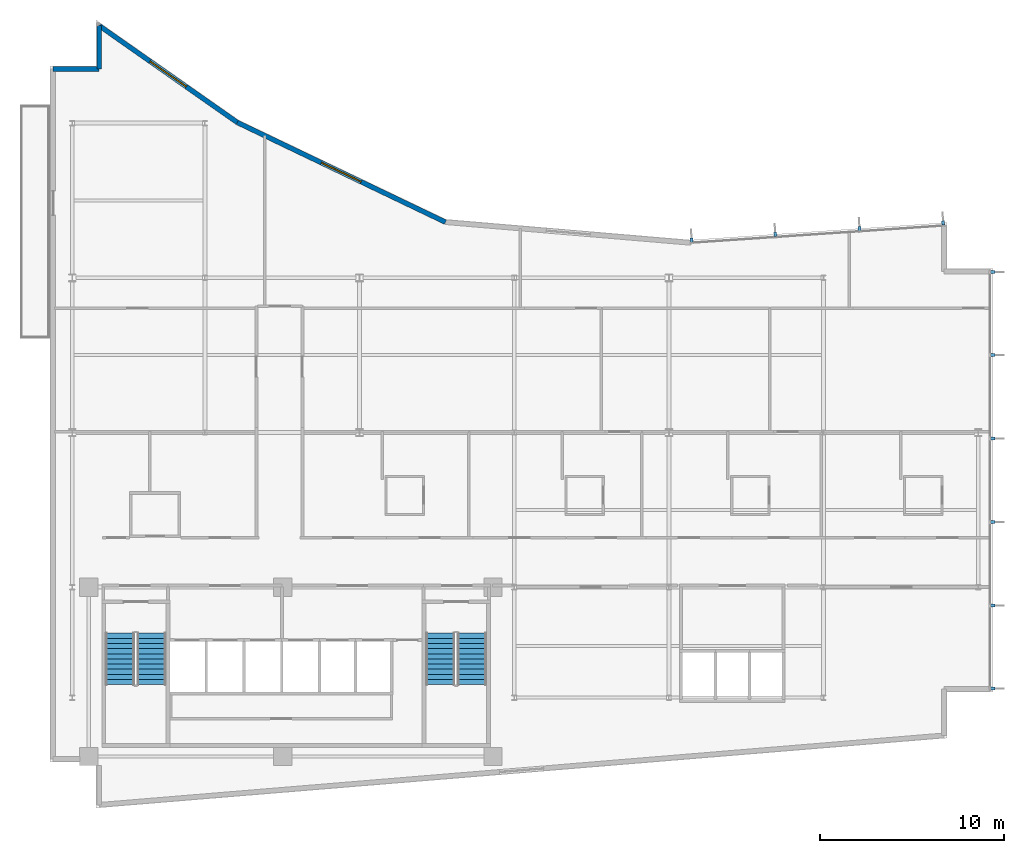
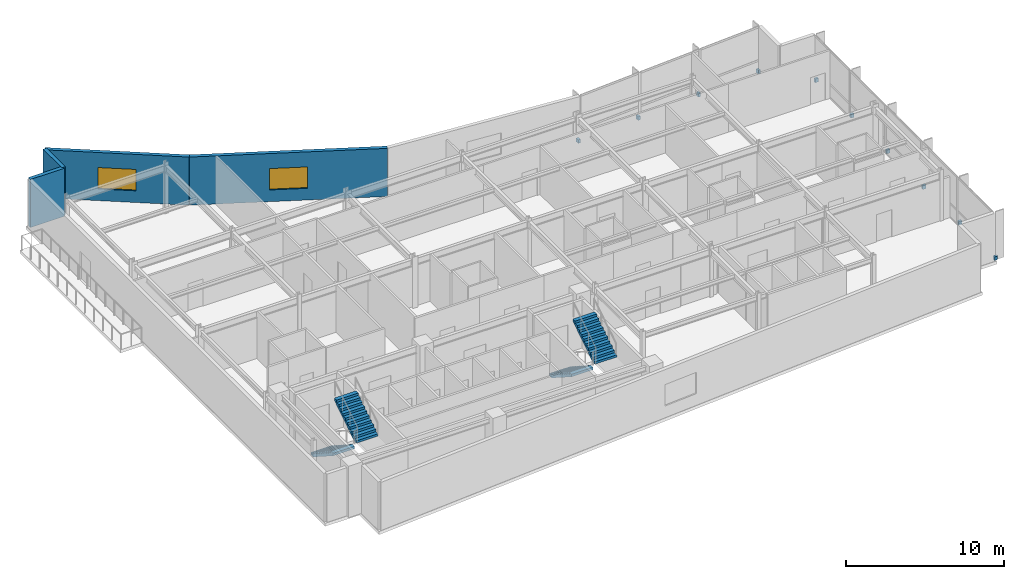
# One storey, part 14 of 17: 10 discrete accessories, 4 stair flights, 4 walls, 2 windows, 2 openings, 2 elements without a shape of their own.
"""IFC4 building model written with IfcOpenShell, lengths in metres."""

from ifc_helpers import new_model, si_unit, direction, frame, frame_2d, origin, origin_2d, place, context, subcontext, project, spatial, polyline, rectangle, outline, extrude, material, layer, layer_set, type_object, element, fill, aggregate, save


model = new_model("IFC4")

# Units and contexts
model_context = context("Model", 3, precision=1e-05, world=origin(), true_north=direction((0.0, 1.0)))
body_context = subcontext(model_context, "Body", "Model", "MODEL_VIEW")
ifc_project = project(units=[si_unit("LENGTHUNIT", "METRE"), si_unit("AREAUNIT", "SQUARE_METRE"), si_unit("VOLUMEUNIT", "CUBIC_METRE"), si_unit("PLANEANGLEUNIT", "RADIAN"), si_unit("MASSUNIT", "GRAM", prefix="KILO")], contexts=[model_context])

# Site, building, storey
site_placement = place(None, origin())
site = spatial("IfcSite", under=ifc_project, at=site_placement, CompositionType="ELEMENT")
building_placement = place(site_placement, origin())
building = spatial("IfcBuilding", under=site, at=building_placement, Name="Varnakote Quay Hospital", CompositionType="ELEMENT")
storey_placement = place(building_placement, frame((0.0, 0.0, 184.199951171875)))
storey = spatial("IfcBuildingStorey", under=building, at=storey_placement, Name="L45", CompositionType="ELEMENT", Elevation=184.199951171875)

# Wall, opening, window
ifc_material_1 = material(Name="Precast concrete N50 (f'c 50 MPa)", Category="concrete")
ifc_layer_1 = layer(ifc_material_1, 0.260009765625)
ifc_layer_set_1 = layer_set([ifc_layer_1], Name="Precast concrete N50 (f'c 50 MPa)")
wall_type = type_object("IfcWallType", Name="WL-EXT-BRICK-260", PredefinedType="STANDARD", material=ifc_layer_set_1)
wall_1_placement = place(storey_placement, frame((21.461181640625, 31.822998046875, 0.0), z_axis=(0.0, 0.0, 1.0), x_axis=(-0.901858094827, 0.432032379336, 0.0)))
wall_1 = element("IfcWall", 1, at=wall_1_placement, inside=storey, type_object=wall_type, Name="L45 Brick-Faced Precast Exterior Wall", PredefinedType="STANDARD", context=body_context, shape_type="SweptSolid", body=[
    extrude(rectangle(XDim=12.5322265625, YDim=0.260009765625, at=frame_2d((6.26611328125, 0.0))), origin(), (0.0, 0.0, 1.0), 3.7099609375),
])
opening_1_placement = place(wall_1_placement, frame((5.066162109375, 0.0, 0.89990234375)))
opening_1 = element("IfcOpeningElement", 2, at=opening_1_placement, cuts=wall_1, Name="Opening WN-0188", PredefinedType="OPENING", context=body_context, shape_type="SweptSolid", body=[
    extrude(rectangle(XDim=2.39990234375, YDim=1.64990234375, at=frame_2d((1.199951171875, 0.824951171875))), frame((0.0, 0.139892578125, 0.0), z_axis=(0.0, -1.0, 0.0), x_axis=(1.0, 0.0, 0.0)), (0.0, 0.0, 1.0), 0.280029296875),
])
ifc_material_2 = material(Name="Double-glazed low-E solar glass", Category="glass")
window_type = type_object("IfcWindowType", Name="WIN-CLIN-2400x1650", PartitioningType="SINGLE_PANEL", PredefinedType="WINDOW", material=ifc_material_2)
window_1_placement = place(opening_1_placement, origin())
window_1 = element("IfcWindow", 3, at=window_1_placement, inside=storey, type_object=window_type, Name="L45 Solar-Control Clinical Window", OverallHeight=1.64990234375, OverallWidth=2.39990234375, PartitioningType="SINGLE_PANEL", PredefinedType="WINDOW", context=body_context, shape_type="SweptSolid", body=[
    extrude(rectangle(XDim=2.39990234375, YDim=1.64990234375, at=frame_2d((1.199951171875, 0.824951171875))), frame((0.0, 0.030029296875, 0.0), z_axis=(0.0, -1.0, 0.0), x_axis=(1.0, 0.0, 0.0)), (0.0, 0.0, 1.0), 0.06005859375),
])
fill(opening_1, window_1)

wall_2_placement = place(storey_placement, frame((10.158935546875, 37.2373046875, 0.0), z_axis=(0.0, 0.0, 1.0), x_axis=(-0.818933702389, 0.57388813465, 0.0)))
wall_2 = element("IfcWall", 4, at=wall_2_placement, inside=storey, type_object=wall_type, Name="L45 Brick-Faced Precast Exterior Wall", PredefinedType="STANDARD", context=body_context, shape_type="SweptSolid", body=[
    extrude(rectangle(XDim=9.156982421875, YDim=0.260009765625, at=frame_2d((4.57861328125, 0.0))), origin(), (0.0, 0.0, 1.0), 3.7099609375),
])
opening_2_placement = place(wall_2_placement, frame((3.37841796875, 0.0, 0.89990234375)))
opening_2 = element("IfcOpeningElement", 5, at=opening_2_placement, cuts=wall_2, Name="Opening WN-0189", PredefinedType="OPENING", context=body_context, shape_type="SweptSolid", body=[
    extrude(rectangle(XDim=2.39990234375, YDim=1.64990234375, at=frame_2d((1.199951171875, 0.824951171875))), frame((0.0, 0.139892578125, 0.0), z_axis=(0.0, -1.0, 0.0), x_axis=(1.0, 0.0, 0.0)), (0.0, 0.0, 1.0), 0.280029296875),
])
window_2_placement = place(opening_2_placement, origin())
window_2 = element("IfcWindow", 6, at=window_2_placement, inside=storey, type_object=window_type, Name="L45 Solar-Control Clinical Window", OverallHeight=1.64990234375, OverallWidth=2.39990234375, PartitioningType="SINGLE_PANEL", PredefinedType="WINDOW", context=body_context, shape_type="SweptSolid", body=[
    extrude(rectangle(XDim=2.39990234375, YDim=1.64990234375, at=frame_2d((1.199951171875, 0.824951171875))), frame((0.0, 0.030029296875, 0.0), z_axis=(0.0, -1.0, 0.0), x_axis=(1.0, 0.0, 0.0)), (0.0, 0.0, 1.0), 0.06005859375),
])
fill(opening_2, window_2)

# Walls
wall_3_placement = place(storey_placement, frame((2.659912109375, 42.492431640625, 0.0), z_axis=(0.0, 0.0, 1.0), x_axis=(0.0, -1.0, 0.0)))
element("IfcWall", 7, at=wall_3_placement, inside=storey, type_object=wall_type, Name="L45 Brick-Faced Precast Exterior Wall", PredefinedType="STANDARD", context=body_context, shape_type="SweptSolid", body=[
    extrude(rectangle(XDim=2.3525390625, YDim=0.260009765625, at=frame_2d((1.17626953125, 0.0))), origin(), (0.0, 0.0, 1.0), 3.7099609375),
])
wall_4_placement = place(storey_placement, frame((2.659912109375, 40.139892578125, 0.0), z_axis=(0.0, 0.0, 1.0), x_axis=(-1.0, 0.0, 0.0)))
element("IfcWall", 8, at=wall_4_placement, inside=storey, type_object=wall_type, Name="L45 Brick-Faced Precast Exterior Wall", PredefinedType="STANDARD", context=body_context, shape_type="SweptSolid", body=[
    extrude(rectangle(XDim=2.5, YDim=0.260009765625, at=frame_2d((1.25, 0.0))), origin(), (0.0, 0.0, 1.0), 3.7099609375),
])

# Stair, stair flights
ifc_material_3 = material(Name="Concrete N40 (f'c 40 MPa)", Category="concrete")
stair_type = type_object("IfcStairType", Name="STR-CORE-1580", PredefinedType="HALF_TURN_STAIR", material=ifc_material_3)
stair_1_placement = place(storey_placement, origin())
stair_1 = element("IfcStair", 9, at=stair_1_placement, inside=storey, type_object=stair_type, Name="L45 Fire-Isolated Exit Stair ST-01", PredefinedType="HALF_TURN_STAIR")
ifc_material_4 = material(Name="Concrete N40 (f'c 40 MPa)", Category="concrete")
ifc_layer_2 = layer(ifc_material_4, 0.159912109375)
ifc_layer_set_2 = layer_set([ifc_layer_2], Name="Concrete N40 (f'c 40 MPa)")
stair_flight_type = type_object("IfcStairFlightType", Name="FLT-CORE-1580", PredefinedType="STRAIGHT", material=ifc_layer_set_2)
stair_flight_1_placement = place(storey_placement, frame((3.7900390625, 9.5, 0.0), z_axis=(0.0, 0.0, 1.0), x_axis=(0.0, -1.0, 0.0)))
stair_flight_1 = element("IfcStairFlight", 10, at=stair_flight_1_placement, type_object=stair_flight_type, Name="ST-01 flight 1", NumberOfRisers=11, NumberOfTreads=10, PredefinedType="STRAIGHT", RiserHeight=0.179545455, TreadLength=0.28, context=body_context, shape_type="SweptSolid", body=[
    extrude(outline(polyline([(0.0, 0.0), (0.0, 0.179443359375), (0.280029296875, 0.179443359375), (0.280029296875, 0.359130859375), (0.56005859375, 0.359130859375), (0.56005859375, 0.53857421875), (0.840087890625, 0.53857421875), (0.840087890625, 0.71826171875), (1.1201171875, 0.71826171875), (1.1201171875, 0.897705078125), (1.39990234375, 0.897705078125), (1.39990234375, 1.077392578125), (1.679931640625, 1.077392578125), (1.679931640625, 1.2568359375), (1.9599609375, 1.2568359375), (1.9599609375, 1.436279296875), (2.239990234375, 1.436279296875), (2.239990234375, 1.615966796875), (2.52001953125, 1.615966796875), (2.52001953125, 1.79541015625), (2.800048828125, 1.79541015625), (2.800048828125, 1.97509765625), (2.800048828125, 1.60546875), (0.296142578125, 0.0), (0.0, 0.0)])), frame((0.0, 0.7900390625, 0.0), z_axis=(0.0, -1.0, 0.0), x_axis=(1.0, 0.0, 0.0)), (0.0, 0.0, 1.0), 1.580078125),
])
stair_flight_2_placement = place(storey_placement, frame((5.510009765625, 6.699951171875, 1.97509765625), z_axis=(0.0, 0.0, 1.0), x_axis=(0.0, 1.0, 0.0)))
stair_flight_2 = element("IfcStairFlight", 11, at=stair_flight_2_placement, type_object=stair_flight_type, Name="ST-01 flight 2", NumberOfRisers=11, NumberOfTreads=10, PredefinedType="STRAIGHT", RiserHeight=0.179545455, TreadLength=0.28, context=body_context, shape_type="SweptSolid", body=[
    extrude(outline(polyline([(0.0, 0.0), (0.0, 0.179443359375), (0.280029296875, 0.179443359375), (0.280029296875, 0.359130859375), (0.56005859375, 0.359130859375), (0.56005859375, 0.53857421875), (0.840087890625, 0.53857421875), (0.840087890625, 0.71826171875), (1.1201171875, 0.71826171875), (1.1201171875, 0.897705078125), (1.39990234375, 0.897705078125), (1.39990234375, 1.077392578125), (1.679931640625, 1.077392578125), (1.679931640625, 1.2568359375), (1.9599609375, 1.2568359375), (1.9599609375, 1.436279296875), (2.239990234375, 1.436279296875), (2.239990234375, 1.615966796875), (2.52001953125, 1.615966796875), (2.52001953125, 1.79541015625), (2.800048828125, 1.79541015625), (2.800048828125, 1.97509765625), (2.800048828125, 1.60546875), (0.296142578125, 0.0), (0.0, 0.0)])), frame((0.0, 0.7900390625, 0.0), z_axis=(0.0, -1.0, 0.0), x_axis=(1.0, 0.0, 0.0)), (0.0, 0.0, 1.0), 1.580078125),
])
aggregate(stair_1, [stair_flight_1, stair_flight_2])

stair_2_placement = place(storey_placement, origin())
stair_2 = element("IfcStair", 12, at=stair_2_placement, inside=storey, type_object=stair_type, Name="L45 Fire-Isolated Exit Stair ST-02", PredefinedType="HALF_TURN_STAIR")
stair_flight_3_placement = place(storey_placement, frame((21.18994140625, 9.5, 0.0), z_axis=(0.0, 0.0, 1.0), x_axis=(0.0, -1.0, 0.0)))
stair_flight_3 = element("IfcStairFlight", 13, at=stair_flight_3_placement, type_object=stair_flight_type, Name="ST-02 flight 1", NumberOfRisers=11, NumberOfTreads=10, PredefinedType="STRAIGHT", RiserHeight=0.179545455, TreadLength=0.28, context=body_context, shape_type="SweptSolid", body=[
    extrude(outline(polyline([(0.0, 0.0), (0.0, 0.179443359375), (0.280029296875, 0.179443359375), (0.280029296875, 0.359130859375), (0.56005859375, 0.359130859375), (0.56005859375, 0.53857421875), (0.840087890625, 0.53857421875), (0.840087890625, 0.71826171875), (1.1201171875, 0.71826171875), (1.1201171875, 0.897705078125), (1.39990234375, 0.897705078125), (1.39990234375, 1.077392578125), (1.679931640625, 1.077392578125), (1.679931640625, 1.2568359375), (1.9599609375, 1.2568359375), (1.9599609375, 1.436279296875), (2.239990234375, 1.436279296875), (2.239990234375, 1.615966796875), (2.52001953125, 1.615966796875), (2.52001953125, 1.79541015625), (2.800048828125, 1.79541015625), (2.800048828125, 1.97509765625), (2.800048828125, 1.60546875), (0.296142578125, 0.0), (0.0, 0.0)])), frame((0.0, 0.7900390625, 0.0), z_axis=(0.0, -1.0, 0.0), x_axis=(1.0, 0.0, 0.0)), (0.0, 0.0, 1.0), 1.580078125),
])
stair_flight_4_placement = place(storey_placement, frame((22.909912109375, 6.699951171875, 1.97509765625), z_axis=(0.0, 0.0, 1.0), x_axis=(0.0, 1.0, 0.0)))
stair_flight_4 = element("IfcStairFlight", 14, at=stair_flight_4_placement, type_object=stair_flight_type, Name="ST-02 flight 2", NumberOfRisers=11, NumberOfTreads=10, PredefinedType="STRAIGHT", RiserHeight=0.179545455, TreadLength=0.28, context=body_context, shape_type="SweptSolid", body=[
    extrude(outline(polyline([(0.0, 0.0), (0.0, 0.179443359375), (0.280029296875, 0.179443359375), (0.280029296875, 0.359130859375), (0.56005859375, 0.359130859375), (0.56005859375, 0.53857421875), (0.840087890625, 0.53857421875), (0.840087890625, 0.71826171875), (1.1201171875, 0.71826171875), (1.1201171875, 0.897705078125), (1.39990234375, 0.897705078125), (1.39990234375, 1.077392578125), (1.679931640625, 1.077392578125), (1.679931640625, 1.2568359375), (1.9599609375, 1.2568359375), (1.9599609375, 1.436279296875), (2.239990234375, 1.436279296875), (2.239990234375, 1.615966796875), (2.52001953125, 1.615966796875), (2.52001953125, 1.79541015625), (2.800048828125, 1.79541015625), (2.800048828125, 1.97509765625), (2.800048828125, 1.60546875), (0.296142578125, 0.0), (0.0, 0.0)])), frame((0.0, 0.7900390625, 0.0), z_axis=(0.0, -1.0, 0.0), x_axis=(1.0, 0.0, 0.0)), (0.0, 0.0, 1.0), 1.580078125),
])
aggregate(stair_2, [stair_flight_3, stair_flight_4])

# Discrete accessories
ifc_material_5 = material(Name="Anodised aluminium 6063-T6 Bronze", Category="aluminium")
discrete_accessory_type = type_object("IfcDiscreteAccessoryType", Name="ACC-FIN-BRACKET-180", PredefinedType="BRACKET", material=ifc_material_5)
for number, where, z_axis, x_axis, name in (
    (15, (51.18994140625, 6.492431640625, 0.0), (0.0, 0.0, 1.0), (0.0, 1.0, 0.0), "L45 Curtain Wall Fin Fixing Bracket"),
    (16, (51.18994140625, 10.99609375, 0.0), (0.0, 0.0, 1.0), (0.0, 1.0, 0.0), "L45 Curtain Wall Fin Fixing Bracket"),
    (17, (51.18994140625, 15.531982421875, 0.0), (0.0, 0.0, 1.0), (0.0, 1.0, 0.0), "L45 Curtain Wall Fin Fixing Bracket"),
    (18, (51.18994140625, 20.068115234375, 0.0), (0.0, 0.0, 1.0), (0.0, 1.0, 0.0), "L45 Curtain Wall Fin Fixing Bracket"),
    (19, (51.18994140625, 24.60400390625, 0.0), (0.0, 0.0, 1.0), (0.0, 1.0, 0.0), "L45 Curtain Wall Fin Fixing Bracket"),
    (20, (51.18994140625, 29.107421875, 0.0), (0.0, 0.0, 1.0), (0.0, 1.0, 0.0), "L45 Curtain Wall Fin Fixing Bracket"),
    (21, (48.497314453125, 31.776123046875, 0.0), (0.0, 0.0, 1.0), (-0.997696134548, -0.067841160875, 0.0), "L45 Curtain Wall Fin Fixing Bracket"),
    (22, (43.95458984375, 31.46728515625, 0.0), (0.0, 0.0, 1.0), (-0.997696134548, -0.067841160875, 0.0), "L45 Curtain Wall Fin Fixing Bracket"),
    (23, (39.379638671875, 31.15625, 0.0), (0.0, 0.0, 1.0), (-0.997696134548, -0.067841160875, 0.0), "L45 Curtain Wall Fin Fixing Bracket"),
    (24, (34.8369140625, 30.847412109375, 0.0), (0.0, 0.0, 1.0), (-0.997696134548, -0.067841160875, 0.0), "L45 Curtain Wall Fin Fixing Bracket"),
):
    element("IfcDiscreteAccessory", number, at=place(storey_placement, frame(where, z_axis=z_axis, x_axis=x_axis)), inside=storey, type_object=discrete_accessory_type, Name=name, PredefinedType="BRACKET", context=body_context, shape_type="SweptSolid", body=[
        extrude(rectangle(XDim=0.159912109375, YDim=0.239990234375, at=origin_2d()), origin(), (0.0, 0.0, 1.0), 0.280029296875),
    ])

save(model, "model.ifc")
